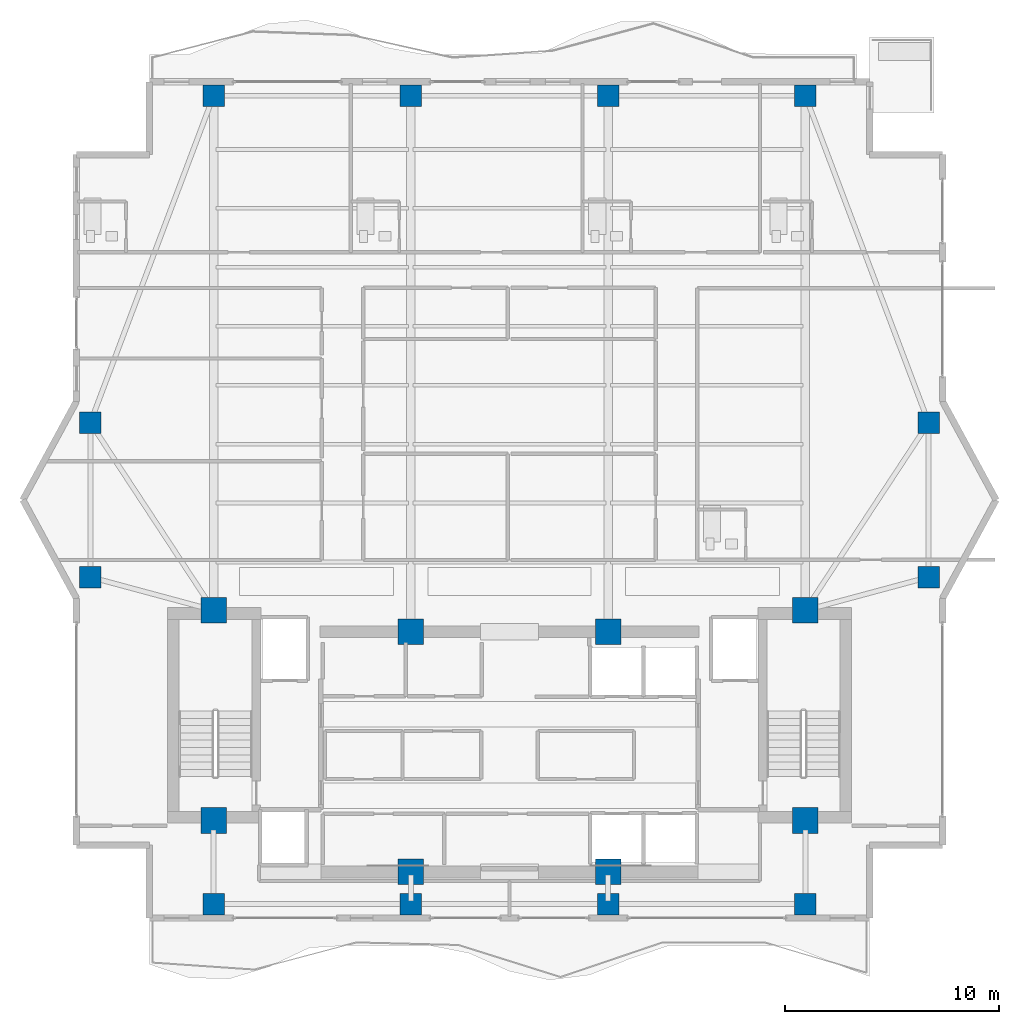
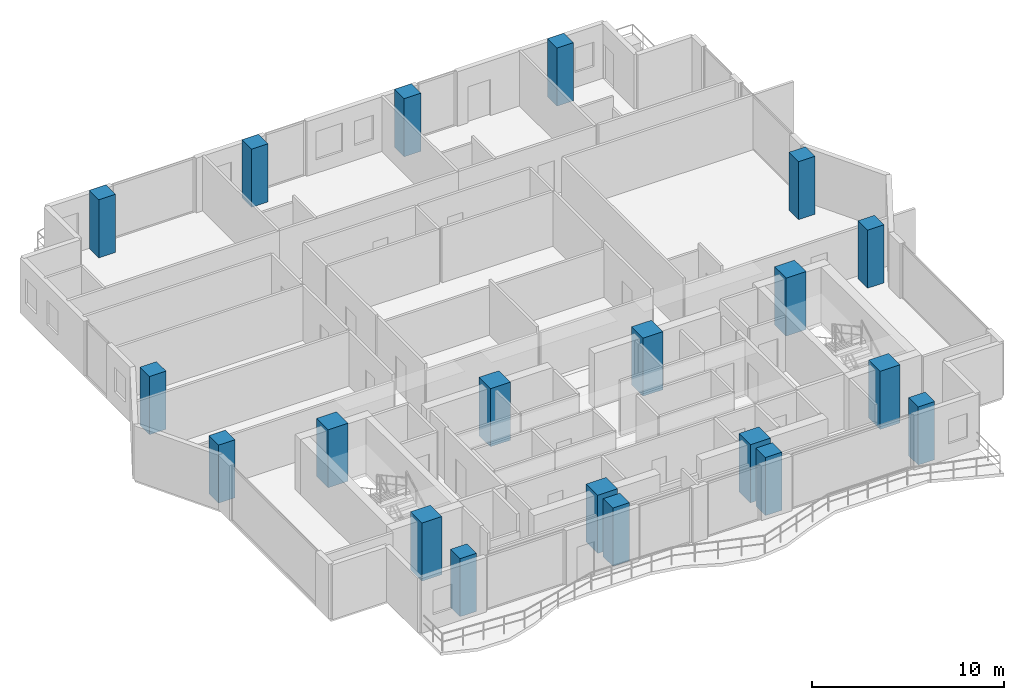
# One storey, part 1 of 23: 20 columns.
"""IFC4 building model written with IfcOpenShell, lengths in metres."""

from ifc_helpers import new_model, si_unit, direction, frame, origin, origin_2d, place, context, subcontext, project, spatial, rectangle, extrude, material, material_profile, profile_set, type_object, element, save


model = new_model("IFC4")

# Units and contexts
model_context = context("Model", 3, precision=1e-05, world=origin(), true_north=direction((0.0, 1.0)))
body_context = subcontext(model_context, "Body", "Model", "MODEL_VIEW")
ifc_project = project(units=[si_unit("LENGTHUNIT", "METRE"), si_unit("AREAUNIT", "SQUARE_METRE"), si_unit("VOLUMEUNIT", "CUBIC_METRE"), si_unit("PLANEANGLEUNIT", "RADIAN"), si_unit("MASSUNIT", "GRAM", prefix="KILO")], contexts=[model_context])

# Site, building, storey
site_placement = place(None, origin())
site = spatial("IfcSite", under=ifc_project, at=site_placement, CompositionType="ELEMENT")
building_placement = place(site_placement, origin())
building = spatial("IfcBuilding", under=site, at=building_placement, Name="Zuhayl Quay Hotel", CompositionType="ELEMENT")
storey_placement = place(building_placement, frame((0.0, 0.0, 265.550048828125)))
storey = spatial("IfcBuildingStorey", under=building, at=storey_placement, Name="L67", CompositionType="ELEMENT", Elevation=265.550048828125)

# Columns
ifc_material = material(Name="Concrete C60/75", Category="concrete")
ifc_material_profile_1 = material_profile(ifc_material, rectangle(XDim=1.199951171875, YDim=1.199951171875, at=origin_2d()), Name="RC1200X1200")
ifc_profile_set_1 = profile_set([ifc_material_profile_1], Name="Concrete C60/75")
column_type_1 = type_object("IfcColumnType", Name="CL_CC2_1200", PredefinedType="COLUMN", material=ifc_profile_set_1)
for number, where, z_axis, x_axis, name in (
    (1, (-13.800048828125, 14.35009765625, 0.0), (0.0, 0.0, 1.0), (1.0, 0.0, 0.0), "L67 Core Column CC_NW"),
    (2, (-4.60009765625, 13.35009765625, 0.0), (0.0, 0.0, 1.0), (1.0, 0.0, 0.0), "L67 Core Column CC_CNW"),
    (3, (4.60009765625, 13.35009765625, 0.0), (0.0, 0.0, 1.0), (1.0, 0.0, 0.0), "L67 Core Column CC_CNE"),
    (4, (13.800048828125, 14.35009765625, 0.0), (0.0, 0.0, 1.0), (1.0, 0.0, 0.0), "L67 Core Column CC_NE"),
    (5, (-13.800048828125, 4.550048828125, 0.0), (0.0, 0.0, 1.0), (1.0, 0.0, 0.0), "L67 Core Column CC_SW"),
    (6, (-4.60009765625, 2.14990234375, 0.0), (0.0, 0.0, 1.0), (1.0, 0.0, 0.0), "L67 Core Column CC_CSW"),
    (7, (4.60009765625, 2.14990234375, 0.0), (0.0, 0.0, 1.0), (1.0, 0.0, 0.0), "L67 Core Column CC_CSE"),
    (8, (13.800048828125, 4.550048828125, 0.0), (0.0, 0.0, 1.0), (1.0, 0.0, 0.0), "L67 Core Column CC_SE"),
):
    element("IfcColumn", number, at=place(storey_placement, frame(where, z_axis=z_axis, x_axis=x_axis)), inside=storey, type_object=column_type_1, Name=name, PredefinedType="COLUMN", context=body_context, shape_type="SweptSolid", body=[
        extrude(rectangle(XDim=1.199951171875, YDim=1.199951171875, at=origin_2d()), origin(), (0.0, 0.0, 1.0), 3.699951171875),
    ])
ifc_material_profile_2 = material_profile(ifc_material, rectangle(XDim=1.0, YDim=1.0, at=origin_2d()), Name="RC1000X1000")
ifc_profile_set_2 = profile_set([ifc_material_profile_2], Name="Concrete C60/75")
column_type_2 = type_object("IfcColumnType", Name="CL_MC4_1000", PredefinedType="COLUMN", material=ifc_profile_set_2)
for number, where, z_axis, x_axis, name in (
    (9, (-13.800048828125, 0.64990234375, 0.0), (0.0, 0.0, 1.0), (1.0, 0.0, 0.0), "L67 Mega-Column MC_S1"),
    (10, (-4.60009765625, 0.64990234375, 0.0), (0.0, 0.0, 1.0), (1.0, 0.0, 0.0), "L67 Mega-Column MC_S2"),
    (11, (4.60009765625, 0.64990234375, 0.0), (0.0, 0.0, 1.0), (1.0, 0.0, 0.0), "L67 Mega-Column MC_S3"),
    (12, (13.800048828125, 0.64990234375, 0.0), (0.0, 0.0, 1.0), (1.0, 0.0, 0.0), "L67 Mega-Column MC_S4"),
    (13, (-13.800048828125, 38.35009765625, 0.0), (0.0, 0.0, 1.0), (1.0, 0.0, 0.0), "L67 Mega-Column MC_N1"),
    (14, (-4.60009765625, 38.35009765625, 0.0), (0.0, 0.0, 1.0), (1.0, 0.0, 0.0), "L67 Mega-Column MC_N2"),
    (15, (4.60009765625, 38.35009765625, 0.0), (0.0, 0.0, 1.0), (1.0, 0.0, 0.0), "L67 Mega-Column MC_N3"),
    (16, (13.800048828125, 38.35009765625, 0.0), (0.0, 0.0, 1.0), (1.0, 0.0, 0.0), "L67 Mega-Column MC_N4"),
    (17, (-19.550048828125, 15.89990234375, 0.0), (0.0, 0.0, 1.0), (1.0, 0.0, 0.0), "L67 Mega-Column MC_W1"),
    (18, (-19.550048828125, 23.10009765625, 0.0), (0.0, 0.0, 1.0), (1.0, 0.0, 0.0), "L67 Mega-Column MC_W2"),
    (19, (19.550048828125, 15.89990234375, 0.0), (0.0, 0.0, 1.0), (1.0, 0.0, 0.0), "L67 Mega-Column MC_E1"),
    (20, (19.550048828125, 23.10009765625, 0.0), (0.0, 0.0, 1.0), (1.0, 0.0, 0.0), "L67 Mega-Column MC_E2"),
):
    element("IfcColumn", number, at=place(storey_placement, frame(where, z_axis=z_axis, x_axis=x_axis)), inside=storey, type_object=column_type_2, Name=name, PredefinedType="COLUMN", context=body_context, shape_type="SweptSolid", body=[
        extrude(rectangle(XDim=1.0, YDim=1.0, at=origin_2d()), origin(), (0.0, 0.0, 1.0), 3.699951171875),
    ])

save(model, "model.ifc")
